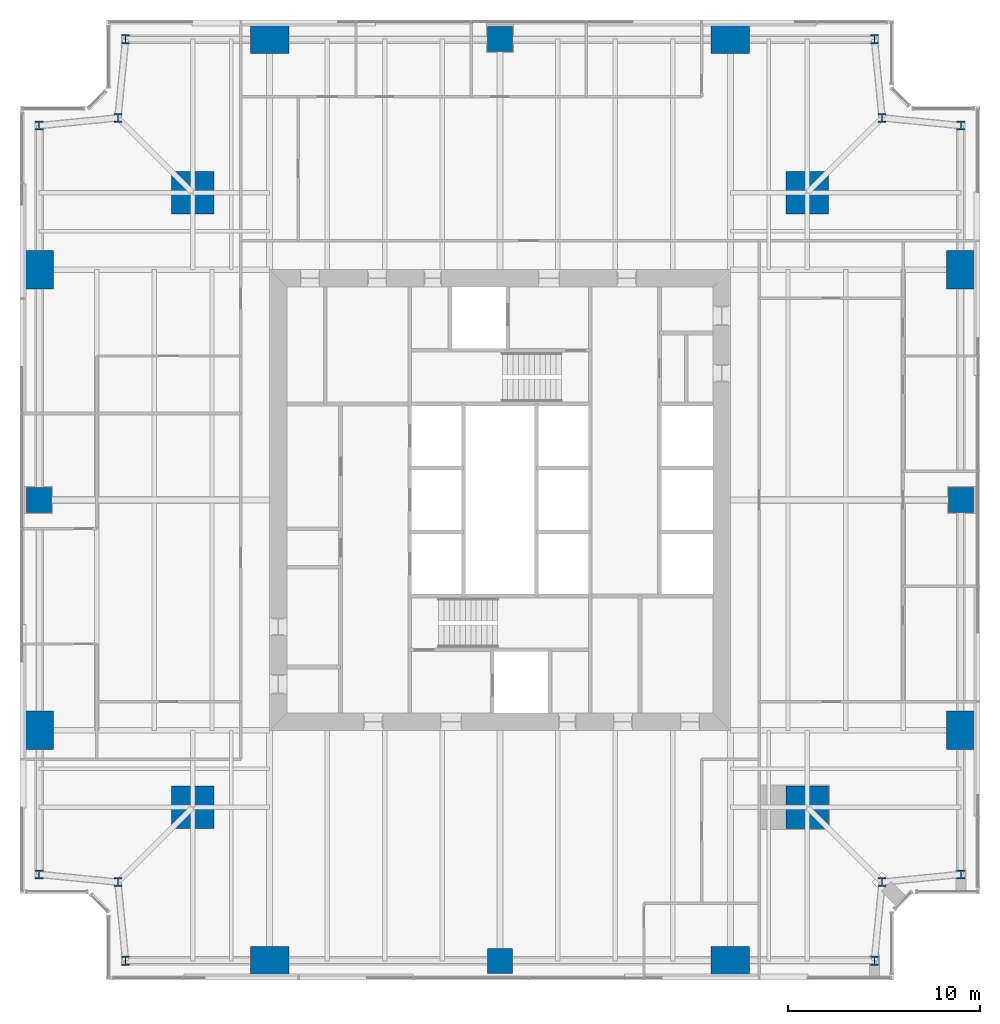
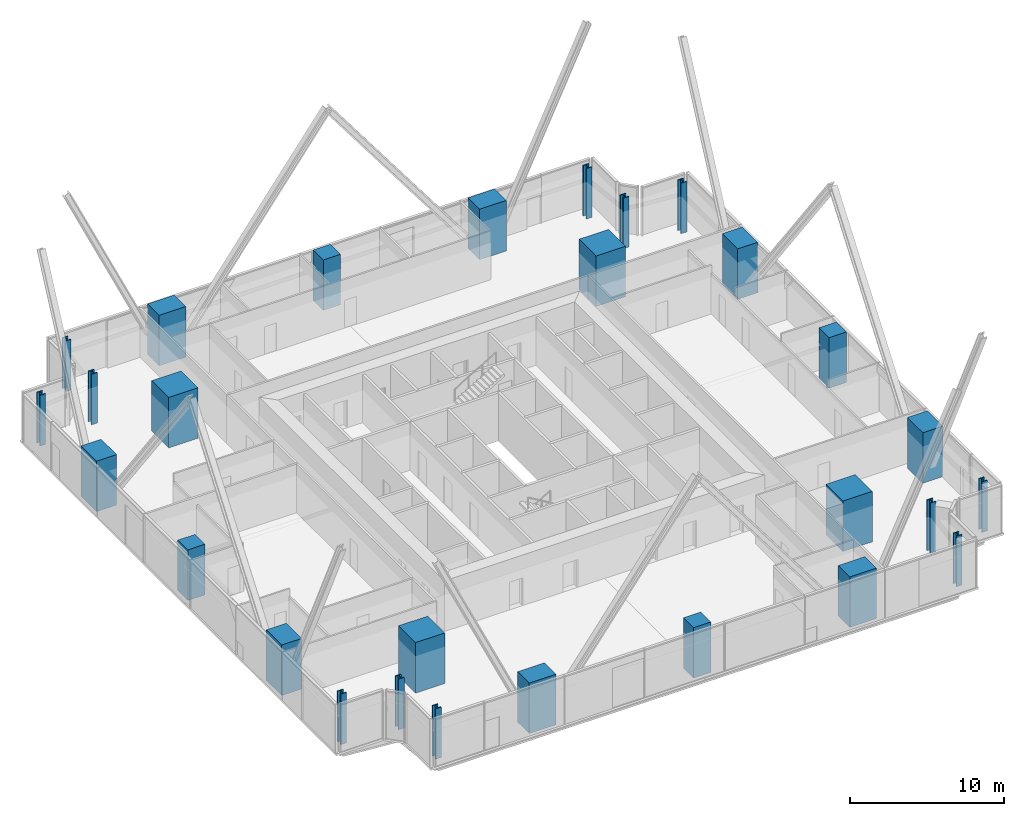
# One storey, part 1 of 14: 28 columns.
"""IFC4 building model written with IfcOpenShell, lengths in metres."""

from ifc_helpers import new_model, si_unit, direction, frame, origin, origin_2d, place, context, subcontext, project, spatial, rectangle, i_section, extrude, material, material_profile, profile_set, type_object, element, save


model = new_model("IFC4")

# Units and contexts
model_context = context("Model", 3, precision=1e-05, world=origin(), true_north=direction((0.0, 1.0)))
body_context = subcontext(model_context, "Body", "Model", "MODEL_VIEW")
ifc_project = project(units=[si_unit("LENGTHUNIT", "METRE"), si_unit("AREAUNIT", "SQUARE_METRE"), si_unit("VOLUMEUNIT", "CUBIC_METRE"), si_unit("PLANEANGLEUNIT", "RADIAN"), si_unit("MASSUNIT", "GRAM", prefix="KILO")], contexts=[model_context])

# Site, building, storey
site_placement = place(None, origin())
site = spatial("IfcSite", under=ifc_project, at=site_placement, CompositionType="ELEMENT")
building_placement = place(site_placement, origin())
building = spatial("IfcBuilding", under=site, at=building_placement, Name="Fenwick Lantern Interchange", CompositionType="ELEMENT")
storey_placement = place(building_placement, frame((0.0, 0.0, 130.39990234375)))
storey = spatial("IfcBuildingStorey", under=building, at=storey_placement, Name="L30", CompositionType="ELEMENT", Elevation=130.39990234375)

# Columns
ifc_material_1 = material(Name="Concrete f'c 70 MPa", Category="concrete")
ifc_material_profile_1 = material_profile(ifc_material_1, rectangle(XDim=2.199951171875, YDim=2.199951171875, at=origin_2d()), Name="RC2200X2200")
ifc_profile_set_1 = profile_set([ifc_material_profile_1], Name="Concrete f'c 70 MPa")
column_type_1 = type_object("IfcColumnType", Name="MEGA COLUMN RC2200X2200", PredefinedType="COLUMN", material=ifc_profile_set_1)
for number, where, z_axis, x_axis, name in (
    (1, (9.0, 9.0, 0.0), (0.0, 0.0, 1.0), (1.0, 0.0, 0.0), "L30/M1"),
    (2, (41.0, 9.0, 0.0), (0.0, 0.0, 1.0), (1.0, 0.0, 0.0), "L30/M2"),
    (3, (41.0, 41.0, 0.0), (0.0, 0.0, 1.0), (1.0, 0.0, 0.0), "L30/M3"),
    (4, (9.0, 41.0, 0.0), (0.0, 0.0, 1.0), (1.0, 0.0, 0.0), "L30/M4"),
):
    element("IfcColumn", number, at=place(storey_placement, frame(where, z_axis=z_axis, x_axis=x_axis)), inside=storey, type_object=column_type_1, Name=name, PredefinedType="COLUMN", context=body_context, shape_type="SweptSolid", body=[
        extrude(rectangle(XDim=2.199951171875, YDim=2.199951171875, at=origin_2d()), origin(), (0.0, 0.0, 1.0), 4.0),
    ])
ifc_material_profile_2 = material_profile(ifc_material_1, rectangle(XDim=1.300048828125, YDim=1.300048828125, at=origin_2d()), Name="RC1300X1300")
ifc_profile_set_2 = profile_set([ifc_material_profile_2], Name="Concrete f'c 70 MPa")
column_type_2 = type_object("IfcColumnType", Name="PERIMETER COLUMN RC1300X1300", PredefinedType="COLUMN", material=ifc_profile_set_2)
for number, where, z_axis, x_axis, name in (
    (5, (25.0, 1.0, 0.0), (0.0, 0.0, 1.0), (1.0, 0.0, 0.0), "L30/CS3"),
    (6, (49.0, 25.0, 0.0), (0.0, 0.0, 1.0), (1.0, 0.0, 0.0), "L30/CE3"),
    (7, (25.0, 49.0, 0.0), (0.0, 0.0, 1.0), (1.0, 0.0, 0.0), "L30/CN3"),
    (8, (1.0, 25.0, 0.0), (0.0, 0.0, 1.0), (1.0, 0.0, 0.0), "L30/CW3"),
):
    element("IfcColumn", number, at=place(storey_placement, frame(where, z_axis=z_axis, x_axis=x_axis)), inside=storey, type_object=column_type_2, Name=name, PredefinedType="COLUMN", context=body_context, shape_type="SweptSolid", body=[
        extrude(rectangle(XDim=1.300048828125, YDim=1.300048828125, at=origin_2d()), origin(), (0.0, 0.0, 1.0), 4.0),
    ])
ifc_material_profile_3 = material_profile(ifc_material_1, rectangle(XDim=1.5, YDim=2.0, at=origin_2d()), Name="RC1500X2000")
ifc_profile_set_3 = profile_set([ifc_material_profile_3], Name="Concrete f'c 70 MPa")
column_type_3 = type_object("IfcColumnType", Name="PERIMETER COLUMN RC1500X2000", PredefinedType="COLUMN", material=ifc_profile_set_3)
for number, where, z_axis, x_axis, name in (
    (9, (49.0, 13.0, 0.0), (0.0, 0.0, 1.0), (1.0, 0.0, 0.0), "L30/CE2"),
    (10, (49.0, 37.0, 0.0), (0.0, 0.0, 1.0), (1.0, 0.0, 0.0), "L30/CE4"),
    (11, (1.0, 37.0, 0.0), (0.0, 0.0, 1.0), (1.0, 0.0, 0.0), "L30/CW2"),
    (12, (1.0, 13.0, 0.0), (0.0, 0.0, 1.0), (1.0, 0.0, 0.0), "L30/CW4"),
):
    element("IfcColumn", number, at=place(storey_placement, frame(where, z_axis=z_axis, x_axis=x_axis)), inside=storey, type_object=column_type_3, Name=name, PredefinedType="COLUMN", context=body_context, shape_type="SweptSolid", body=[
        extrude(rectangle(XDim=1.5, YDim=2.0, at=origin_2d()), origin(), (0.0, 0.0, 1.0), 4.0),
    ])
ifc_material_profile_4 = material_profile(ifc_material_1, rectangle(XDim=2.0, YDim=1.5, at=origin_2d()), Name="RC2000X1500")
ifc_profile_set_4 = profile_set([ifc_material_profile_4], Name="Concrete f'c 70 MPa")
column_type_4 = type_object("IfcColumnType", Name="PERIMETER COLUMN RC2000X1500", PredefinedType="COLUMN", material=ifc_profile_set_4)
for number, where, z_axis, x_axis, name in (
    (13, (13.0, 1.0, 0.0), (0.0, 0.0, 1.0), (1.0, 0.0, 0.0), "L30/CS2"),
    (14, (37.0, 1.0, 0.0), (0.0, 0.0, 1.0), (1.0, 0.0, 0.0), "L30/CS4"),
    (15, (37.0, 49.0, 0.0), (0.0, 0.0, 1.0), (1.0, 0.0, 0.0), "L30/CN2"),
    (16, (13.0, 49.0, 0.0), (0.0, 0.0, 1.0), (1.0, 0.0, 0.0), "L30/CN4"),
):
    element("IfcColumn", number, at=place(storey_placement, frame(where, z_axis=z_axis, x_axis=x_axis)), inside=storey, type_object=column_type_4, Name=name, PredefinedType="COLUMN", context=body_context, shape_type="SweptSolid", body=[
        extrude(rectangle(XDim=2.0, YDim=1.5, at=origin_2d()), origin(), (0.0, 0.0, 1.0), 4.0),
    ])
ifc_material_2 = material(Name="Steel ASTM A992 Grade 50", Category="steel")
ifc_material_profile_5 = material_profile(ifc_material_2, i_section(OverallWidth=0.424072265625, OverallDepth=0.47509765625, WebThickness=0.0478515625, FlangeThickness=0.0771484375, at=origin_2d()), Name="W14X426")
ifc_profile_set_5 = profile_set([ifc_material_profile_5], Name="Steel ASTM A992 Grade 50")
column_type_5 = type_object("IfcColumnType", Name="PERIMETER COLUMN W14X426", PredefinedType="COLUMN", material=ifc_profile_set_5)
for number, where, z_axis, x_axis, name in (
    (17, (5.5, 1.0, 0.0), (0.0, 0.0, 1.0), (1.0, 0.0, 0.0), "L30/CS1"),
    (18, (44.5, 1.0, 0.0), (0.0, 0.0, 1.0), (1.0, 0.0, 0.0), "L30/CS5"),
    (19, (44.89990234375, 5.10009765625, 0.0), (0.0, 0.0, 1.0), (1.0, 0.0, 0.0), "L30/CSR"),
    (20, (49.0, 5.5, 0.0), (0.0, 0.0, 1.0), (1.0, 0.0, 0.0), "L30/CE1"),
    (21, (49.0, 44.5, 0.0), (0.0, 0.0, 1.0), (1.0, 0.0, 0.0), "L30/CE5"),
    (22, (44.89990234375, 44.89990234375, 0.0), (0.0, 0.0, 1.0), (1.0, 0.0, 0.0), "L30/CER"),
    (23, (44.5, 49.0, 0.0), (0.0, 0.0, 1.0), (1.0, 0.0, 0.0), "L30/CN1"),
    (24, (5.5, 49.0, 0.0), (0.0, 0.0, 1.0), (1.0, 0.0, 0.0), "L30/CN5"),
    (25, (5.10009765625, 44.89990234375, 0.0), (0.0, 0.0, 1.0), (1.0, 0.0, 0.0), "L30/CNR"),
    (26, (1.0, 44.5, 0.0), (0.0, 0.0, 1.0), (1.0, 0.0, 0.0), "L30/CW1"),
    (27, (1.0, 5.5, 0.0), (0.0, 0.0, 1.0), (1.0, 0.0, 0.0), "L30/CW5"),
    (28, (5.10009765625, 5.10009765625, 0.0), (0.0, 0.0, 1.0), (1.0, 0.0, 0.0), "L30/CWR"),
):
    element("IfcColumn", number, at=place(storey_placement, frame(where, z_axis=z_axis, x_axis=x_axis)), inside=storey, type_object=column_type_5, Name=name, PredefinedType="COLUMN", context=body_context, shape_type="SweptSolid", body=[
        extrude(i_section(OverallWidth=0.424072265625, OverallDepth=0.47509765625, WebThickness=0.0478515625, FlangeThickness=0.0771484375, at=origin_2d()), origin(), (0.0, 0.0, 1.0), 4.0),
    ])

save(model, "model.ifc")
